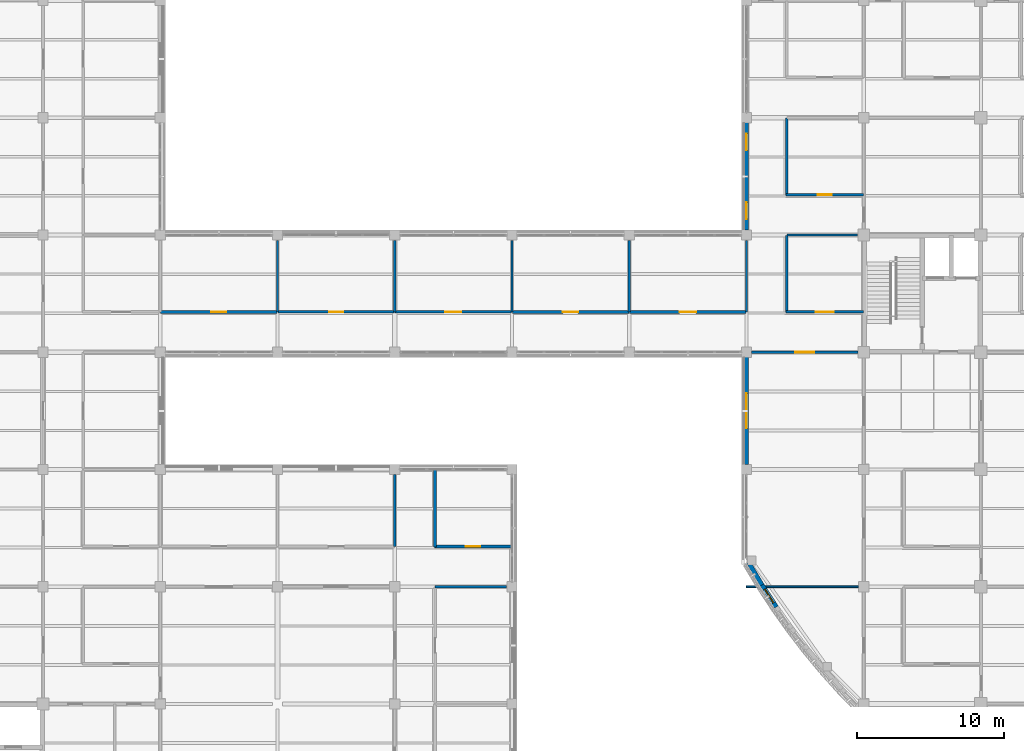
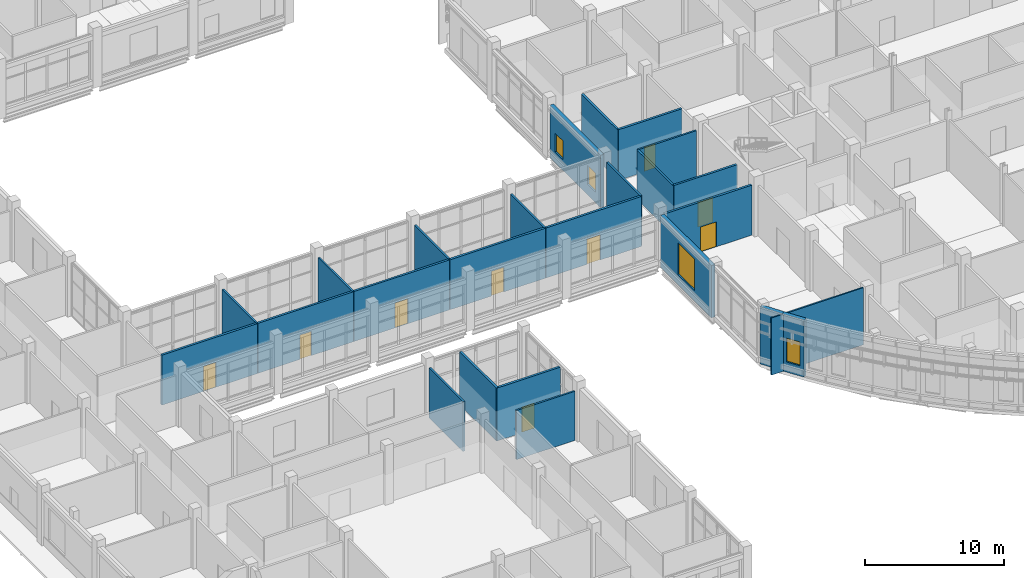
# One storey, part 62 of 105: 25 walls, 9 doors, 4 windows, 13 openings.
"""IFC4 building model written with IfcOpenShell, lengths in metres."""

from ifc_helpers import new_model, si_unit, derived_unit, direction, frame, frame_2d, origin, place, context, subcontext, project, spatial, rectangle, extrude, material, layer, layer_set, type_object, element, fill, save


model = new_model("IFC4")

# Units and contexts
model_context = context("Model", 3, precision=1e-05, world=origin(), true_north=direction((0.0, 1.0)))
body_context = subcontext(model_context, "Body", "Model", "MODEL_VIEW")
ifc_project = project(units=[si_unit("LENGTHUNIT", "METRE"), si_unit("AREAUNIT", "SQUARE_METRE"), si_unit("VOLUMEUNIT", "CUBIC_METRE"), si_unit("PLANEANGLEUNIT", "RADIAN"), si_unit("MASSUNIT", "GRAM", prefix="KILO"), derived_unit("THERMALTRANSMITTANCEUNIT", [(si_unit("MASSUNIT", "GRAM", prefix="KILO"), 1), (si_unit("TIMEUNIT", "SECOND"), -3), (si_unit("THERMODYNAMICTEMPERATUREUNIT", "KELVIN"), -1)])], contexts=[model_context])

# Site, building, storey
site_placement = place(None, origin())
site = spatial("IfcSite", under=ifc_project, at=site_placement, CompositionType="ELEMENT")
building_placement = place(site_placement, origin())
building = spatial("IfcBuilding", under=site, at=building_placement, Name="Veyamyaing Civic Hall", CompositionType="ELEMENT")
storey_placement = place(building_placement, origin())
storey = spatial("IfcBuildingStorey", under=building, at=storey_placement, Name="L00", CompositionType="ELEMENT", Elevation=0.0)

# Wall
ifc_material_1 = material(Name="Precast concrete C40/50", Category="concrete")
ifc_layer_1 = layer(ifc_material_1, 0.304931640625, Name="Precast concrete C40/50")
ifc_layer_set_1 = layer_set([ifc_layer_1], Name="Precast concrete C40/50")
wall_type_1 = type_object("IfcWallType", Name="WT-03", PredefinedType="SOLIDWALL", material=ifc_layer_set_1)
wall_1_placement = place(storey_placement, frame((56.1328125, 33.649169921875, 0.0), z_axis=(0.0, 0.0, 1.0), x_axis=(0.51607516088, -0.856543302071, 0.0)))
element("IfcWall", 1, at=wall_1_placement, inside=storey, type_object=wall_type_1, Name="Curved corner facade wall WT-03 L00 SW.1", PredefinedType="SOLIDWALL", context=body_context, shape_type="SweptSolid", body=[
    extrude(rectangle(XDim=1.794921875, YDim=0.304931640625, at=frame_2d((0.8974609375, 0.0))), origin(), (0.0, 0.0, 1.0), 5.034912109375),
])

# Wall, opening, window
wall_2_placement = place(storey_placement, frame((57.05615234375, 32.11669921875, 0.0), z_axis=(0.0, 0.0, 1.0), x_axis=(0.547681678944, -0.836686786408, 0.0)))
wall_2 = element("IfcWall", 2, at=wall_2_placement, inside=storey, type_object=wall_type_1, Name="Curved corner facade wall WT-03 L00 SW.2", PredefinedType="SOLIDWALL", context=body_context, shape_type="SweptSolid", body=[
    extrude(rectangle(XDim=1.795166015625, YDim=0.304931640625, at=frame_2d((0.8974609375, 0.0))), origin(), (0.0, 0.0, 1.0), 5.034912109375),
])
opening_1_placement = place(wall_2_placement, frame((0.347412109375, 0.0, 0.89990234375)))
opening_1 = element("IfcOpeningElement", 3, at=opening_1_placement, cuts=wall_2, Name="Opening W-15", PredefinedType="OPENING", context=body_context, shape_type="SweptSolid", body=[
    extrude(rectangle(XDim=1.10009765625, YDim=2.10009765625, at=frame_2d((0.550048828125, 1.050048828125))), frame((0.0, 0.162353515625, 0.0), z_axis=(0.0, -1.0, 0.0), x_axis=(1.0, 0.0, 0.0)), (0.0, 0.0, 1.0), 0.324951171875),
])
ifc_material_2 = material(Name="Low-E insulated glass", Category="glass")
window_type_1 = type_object("IfcWindowType", Name="W-15", PartitioningType="SINGLE_PANEL", PredefinedType="WINDOW", material=ifc_material_2)
window_1_placement = place(opening_1_placement, origin())
window_1 = element("IfcWindow", 4, at=window_1_placement, inside=storey, type_object=window_type_1, Name="Curved ribbon window W-15 L00 SW.2", OverallHeight=2.10009765625, OverallWidth=1.10009765625, PartitioningType="SINGLE_PANEL", PredefinedType="WINDOW", context=body_context, shape_type="SweptSolid", body=[
    extrude(rectangle(XDim=1.10009765625, YDim=2.10009765625, at=frame_2d((0.550048828125, 1.050048828125))), frame((0.0, 0.030029296875, 0.0), z_axis=(0.0, -1.0, 0.0), x_axis=(1.0, 0.0, 0.0)), (0.0, 0.0, 1.0), 0.06005859375),
])
fill(opening_1, window_1)

wall_3_placement = place(storey_placement, frame((56.0, 40.3349609375, 0.0), z_axis=(0.0, 0.0, 1.0), x_axis=(0.0, 1.0, 0.0)))
wall_3 = element("IfcWall", 5, at=wall_3_placement, inside=storey, type_object=wall_type_1, Name="Exterior facade wall WT-03 L00 W 8.6", PredefinedType="SOLIDWALL", context=body_context, shape_type="SweptSolid", body=[
    extrude(rectangle(XDim=7.330078125, YDim=0.304931640625, at=frame_2d((3.6650390625, 0.0))), origin(), (0.0, 0.0, 1.0), 4.610107421875),
])
opening_2_placement = place(wall_3_placement, frame((2.465087890625, 0.0, 0.89990234375)))
opening_2 = element("IfcOpeningElement", 6, at=opening_2_placement, cuts=wall_3, Name="Opening W-01", PredefinedType="OPENING", context=body_context, shape_type="SweptSolid", body=[
    extrude(rectangle(XDim=2.39990234375, YDim=2.800048828125, at=frame_2d((1.199951171875, 1.39990234375))), frame((0.0, 0.162353515625, 0.0), z_axis=(0.0, -1.0, 0.0), x_axis=(1.0, 0.0, 0.0)), (0.0, 0.0, 1.0), 0.324951171875),
])
window_type_2 = type_object("IfcWindowType", Name="W-01", PartitioningType="SINGLE_PANEL", PredefinedType="WINDOW", material=ifc_material_2)
window_2_placement = place(opening_2_placement, origin())
window_2 = element("IfcWindow", 7, at=window_2_placement, inside=storey, type_object=window_type_2, Name="Facade window W-01 L00 W 8.6", OverallHeight=2.800048828125, OverallWidth=2.39990234375, PartitioningType="SINGLE_PANEL", PredefinedType="WINDOW", context=body_context, shape_type="SweptSolid", body=[
    extrude(rectangle(XDim=2.39990234375, YDim=2.800048828125, at=frame_2d((1.199951171875, 1.39990234375))), frame((0.0, 0.030029296875, 0.0), z_axis=(0.0, -1.0, 0.0), x_axis=(1.0, 0.0, 0.0)), (0.0, 0.0, 1.0), 0.06005859375),
])
fill(opening_2, window_2)

# Wall, openings, windows
wall_4_placement = place(storey_placement, frame((56.0, 56.3349609375, 0.0), z_axis=(0.0, 0.0, 1.0), x_axis=(0.0, 1.0, 0.0)))
wall_4 = element("IfcWall", 8, at=wall_4_placement, inside=storey, type_object=wall_type_1, Name="Exterior facade wall WT-03 L00 W 8.8", PredefinedType="SOLIDWALL", context=body_context, shape_type="SweptSolid", body=[
    extrude(rectangle(XDim=7.330078125, YDim=0.304931640625, at=frame_2d((3.6650390625, 0.0))), origin(), (0.0, 0.0, 1.0), 4.614013671875),
])
opening_3_placement = place(wall_4_placement, frame((0.744384765625, 0.0, 0.949951171875)))
opening_3 = element("IfcOpeningElement", 9, at=opening_3_placement, cuts=wall_4, Name="Opening W-32", PredefinedType="OPENING", context=body_context, shape_type="SweptSolid", body=[
    extrude(rectangle(XDim=1.14990234375, YDim=1.64990234375, at=frame_2d((0.574951171875, 0.824951171875))), frame((0.0, 0.162353515625, 0.0), z_axis=(0.0, -1.0, 0.0), x_axis=(1.0, 0.0, 0.0)), (0.0, 0.0, 1.0), 0.324951171875),
])
opening_4_placement = place(wall_4_placement, frame((5.435546875, 0.0, 0.949951171875)))
opening_4 = element("IfcOpeningElement", 10, at=opening_4_placement, cuts=wall_4, Name="Opening W-32", PredefinedType="OPENING", context=body_context, shape_type="SweptSolid", body=[
    extrude(rectangle(XDim=1.14990234375, YDim=1.64990234375, at=frame_2d((0.574951171875, 0.824951171875))), frame((0.0, 0.162353515625, 0.0), z_axis=(0.0, -1.0, 0.0), x_axis=(1.0, 0.0, 0.0)), (0.0, 0.0, 1.0), 0.324951171875),
])
window_type_3 = type_object("IfcWindowType", Name="W-32", PartitioningType="SINGLE_PANEL", PredefinedType="WINDOW", material=ifc_material_2)
window_3_placement = place(opening_3_placement, origin())
window_3 = element("IfcWindow", 11, at=window_3_placement, inside=storey, type_object=window_type_3, Name="Facade window W-32 L00 W 8.8.1", OverallHeight=1.64990234375, OverallWidth=1.14990234375, PartitioningType="SINGLE_PANEL", PredefinedType="WINDOW", context=body_context, shape_type="SweptSolid", body=[
    extrude(rectangle(XDim=1.14990234375, YDim=1.64990234375, at=frame_2d((0.574951171875, 0.824951171875))), frame((0.0, 0.030029296875, 0.0), z_axis=(0.0, -1.0, 0.0), x_axis=(1.0, 0.0, 0.0)), (0.0, 0.0, 1.0), 0.06005859375),
])
fill(opening_3, window_3)
window_4_placement = place(opening_4_placement, origin())
window_4 = element("IfcWindow", 12, at=window_4_placement, inside=storey, type_object=window_type_3, Name="Facade window W-32 L00 W 8.8.2", OverallHeight=1.64990234375, OverallWidth=1.14990234375, PartitioningType="SINGLE_PANEL", PredefinedType="WINDOW", context=body_context, shape_type="SweptSolid", body=[
    extrude(rectangle(XDim=1.14990234375, YDim=1.64990234375, at=frame_2d((0.574951171875, 0.824951171875))), frame((0.0, 0.030029296875, 0.0), z_axis=(0.0, -1.0, 0.0), x_axis=(1.0, 0.0, 0.0)), (0.0, 0.0, 1.0), 0.06005859375),
])
fill(opening_4, window_4)

# Wall, opening, door
ifc_material_3 = material(Name="Gypsum board on acoustic steel stud", Category="steel")
ifc_layer_2 = layer(ifc_material_3, 0.175048828125, Name="Gypsum board on acoustic steel stud")
ifc_layer_set_2 = layer_set([ifc_layer_2], Name="Gypsum board on acoustic steel stud")
wall_type_2 = type_object("IfcWallType", Name="WT-07", PredefinedType="PARTITIONING", material=ifc_layer_set_2)
wall_5_placement = place(storey_placement, frame((24.02001953125, 50.75, 0.0), z_axis=(0.0, 0.0, 1.0), x_axis=(1.0, 0.0, 0.0)))
wall_5 = element("IfcWall", 13, at=wall_5_placement, inside=storey, type_object=wall_type_2, Name="Corridor gallery partition WT-07 L00.15.1", PredefinedType="PARTITIONING", context=body_context, shape_type="SweptSolid", body=[
    extrude(rectangle(XDim=7.9599609375, YDim=0.175048828125, at=frame_2d((3.97998046875, 0.0))), origin(), (0.0, 0.0, 1.0), 4.404052734375),
])
opening_5_placement = place(wall_5_placement, frame((3.5, 0.0, 0.0)))
opening_5 = element("IfcOpeningElement", 14, at=opening_5_placement, cuts=wall_5, Name="Opening D-25", PredefinedType="OPENING", context=body_context, shape_type="SweptSolid", body=[
    extrude(rectangle(XDim=0.9599609375, YDim=2.139892578125, at=frame_2d((0.47998046875, 1.06982421875))), frame((0.0, 0.097412109375, 0.0), z_axis=(0.0, -1.0, 0.0), x_axis=(1.0, 0.0, 0.0)), (0.0, 0.0, 1.0), 0.195068359375),
])
ifc_material_4 = material(Name="Teak-veneered acoustic timber", Category="wood")
door_type_1 = type_object("IfcDoorType", Name="D-25", OperationType="NOTDEFINED", PredefinedType="DOOR", material=ifc_material_4)
door_1_placement = place(opening_5_placement, origin())
door_1 = element("IfcDoor", 15, at=door_1_placement, inside=storey, type_object=door_type_1, Name="Gallery office door D-25 L00.15", OperationType="SINGLE_SWING_RIGHT", OverallHeight=2.139892578125, OverallWidth=0.9599609375, PredefinedType="DOOR", context=body_context, shape_type="SweptSolid", body=[
    extrude(rectangle(XDim=0.9599609375, YDim=2.139892578125, at=frame_2d((0.47998046875, 1.06982421875))), frame((0.0, 0.02490234375, 0.0), z_axis=(0.0, -1.0, 0.0), x_axis=(1.0, 0.0, 0.0)), (0.0, 0.0, 1.0), 0.050048828125),
])
fill(opening_5, door_1)

wall_6_placement = place(storey_placement, frame((32.02001953125, 50.75, 0.0), z_axis=(0.0, 0.0, 1.0), x_axis=(1.0, 0.0, 0.0)))
wall_6 = element("IfcWall", 16, at=wall_6_placement, inside=storey, type_object=wall_type_2, Name="Corridor gallery partition WT-07 L00.23.1", PredefinedType="PARTITIONING", context=body_context, shape_type="SweptSolid", body=[
    extrude(rectangle(XDim=7.9599609375, YDim=0.175048828125, at=frame_2d((3.97998046875, 0.0))), origin(), (0.0, 0.0, 1.0), 4.404052734375),
])
opening_6_placement = place(wall_6_placement, frame((3.43994140625, 0.0, 0.0)))
opening_6 = element("IfcOpeningElement", 17, at=opening_6_placement, cuts=wall_6, Name="Opening D-23", PredefinedType="OPENING", context=body_context, shape_type="SweptSolid", body=[
    extrude(rectangle(XDim=1.080078125, YDim=2.199951171875, at=frame_2d((0.5400390625, 1.10009765625))), frame((0.0, 0.097412109375, 0.0), z_axis=(0.0, -1.0, 0.0), x_axis=(1.0, 0.0, 0.0)), (0.0, 0.0, 1.0), 0.195068359375),
])
door_type_2 = type_object("IfcDoorType", Name="D-23", OperationType="NOTDEFINED", PredefinedType="DOOR", material=ifc_material_4)
door_2_placement = place(opening_6_placement, origin())
door_2 = element("IfcDoor", 18, at=door_2_placement, inside=storey, type_object=door_type_2, Name="Gallery office door D-23 L00.23", OperationType="SINGLE_SWING_RIGHT", OverallHeight=2.199951171875, OverallWidth=1.080078125, PredefinedType="DOOR", context=body_context, shape_type="SweptSolid", body=[
    extrude(rectangle(XDim=1.080078125, YDim=2.199951171875, at=frame_2d((0.5400390625, 1.10009765625))), frame((0.0, 0.02490234375, 0.0), z_axis=(0.0, -1.0, 0.0), x_axis=(1.0, 0.0, 0.0)), (0.0, 0.0, 1.0), 0.050048828125),
])
fill(opening_6, door_2)

wall_7_placement = place(storey_placement, frame((58.699951171875, 50.75, 0.0), z_axis=(0.0, 0.0, 1.0), x_axis=(1.0, 0.0, 0.0)))
wall_7 = element("IfcWall", 19, at=wall_7_placement, inside=storey, type_object=wall_type_2, Name="Corridor gallery partition WT-07 L00.27.1", PredefinedType="PARTITIONING", context=body_context, shape_type="SweptSolid", body=[
    extrude(rectangle(XDim=5.280029296875, YDim=0.175048828125, at=frame_2d((2.64013671875, 0.0))), origin(), (0.0, 0.0, 1.0), 4.404052734375),
])
opening_7_placement = place(wall_7_placement, frame((2.014892578125, 0.0, 0.0)))
opening_7 = element("IfcOpeningElement", 20, at=opening_7_placement, cuts=wall_7, Name="Opening D-29", PredefinedType="OPENING", context=body_context, shape_type="SweptSolid", body=[
    extrude(rectangle(XDim=1.25, YDim=2.179931640625, at=frame_2d((0.625, 1.08984375))), frame((0.0, 0.097412109375, 0.0), z_axis=(0.0, -1.0, 0.0), x_axis=(1.0, 0.0, 0.0)), (0.0, 0.0, 1.0), 0.195068359375),
])
door_type_3 = type_object("IfcDoorType", Name="D-29", OperationType="NOTDEFINED", PredefinedType="DOOR", material=ifc_material_4)
door_3_placement = place(opening_7_placement, origin())
door_3 = element("IfcDoor", 21, at=door_3_placement, inside=storey, type_object=door_type_3, Name="Gallery office door D-29 L00.27", OperationType="SINGLE_SWING_RIGHT", OverallHeight=2.179931640625, OverallWidth=1.25, PredefinedType="DOOR", context=body_context, shape_type="SweptSolid", body=[
    extrude(rectangle(XDim=1.25, YDim=2.179931640625, at=frame_2d((0.625, 1.08984375))), frame((0.0, 0.02490234375, 0.0), z_axis=(0.0, -1.0, 0.0), x_axis=(1.0, 0.0, 0.0)), (0.0, 0.0, 1.0), 0.050048828125),
])
fill(opening_7, door_3)

# Walls
wall_8_placement = place(storey_placement, frame((58.75, 50.699951171875, 0.0), z_axis=(0.0, 0.0, 1.0), x_axis=(0.0, 1.0, 0.0)))
element("IfcWall", 22, at=wall_8_placement, inside=storey, type_object=wall_type_2, Name="Corridor gallery partition WT-07 L00.27.2", PredefinedType="PARTITIONING", context=body_context, shape_type="SweptSolid", body=[
    extrude(rectangle(XDim=5.280029296875, YDim=0.175048828125, at=frame_2d((2.64013671875, 0.0))), origin(), (0.0, 0.0, 1.0), 4.3359375),
])
ifc_material_5 = material(Name="Gypsum board on steel stud", Category="steel")
ifc_layer_3 = layer(ifc_material_5, 0.14990234375, Name="Gypsum board on steel stud")
ifc_layer_set_3 = layer_set([ifc_layer_3], Name="Gypsum board on steel stud")
wall_type_3 = type_object("IfcWallType", Name="WT-08", PredefinedType="PARTITIONING", material=ifc_layer_set_3)
wall_9_placement = place(storey_placement, frame((24.0, 50.75, 0.0), z_axis=(0.0, 0.0, 1.0), x_axis=(0.0, 1.0, 0.0)))
element("IfcWall", 23, at=wall_9_placement, inside=storey, type_object=wall_type_3, Name="Gallery office end partition WT-08 L00.12.2", PredefinedType="PARTITIONING", context=body_context, shape_type="SweptSolid", body=[
    extrude(rectangle(XDim=4.889892578125, YDim=0.14990234375, at=frame_2d((2.44482421875, 0.0))), origin(), (0.0, 0.0, 1.0), 4.412109375),
])
wall_10_placement = place(storey_placement, frame((32.0, 34.75, 0.0), z_axis=(0.0, 0.0, 1.0), x_axis=(0.0, 1.0, 0.0)))
element("IfcWall", 24, at=wall_10_placement, inside=storey, type_object=wall_type_3, Name="Gallery office end partition WT-08 L00.14.2", PredefinedType="PARTITIONING", context=body_context, shape_type="SweptSolid", body=[
    extrude(rectangle(XDim=4.889892578125, YDim=0.14990234375, at=frame_2d((2.44482421875, 0.0))), origin(), (0.0, 0.0, 1.0), 4.403076171875),
])
wall_11_placement = place(storey_placement, frame((32.0, 50.75, 0.0), z_axis=(0.0, 0.0, 1.0), x_axis=(0.0, 1.0, 0.0)))
element("IfcWall", 25, at=wall_11_placement, inside=storey, type_object=wall_type_3, Name="Gallery office end partition WT-08 L00.15.2", PredefinedType="PARTITIONING", context=body_context, shape_type="SweptSolid", body=[
    extrude(rectangle(XDim=4.889892578125, YDim=0.14990234375, at=frame_2d((2.44482421875, 0.0))), origin(), (0.0, 0.0, 1.0), 4.404052734375),
])
wall_12_placement = place(storey_placement, frame((34.75, 32.0, 0.0), z_axis=(0.0, 0.0, 1.0), x_axis=(1.0, 0.0, 0.0)))
element("IfcWall", 26, at=wall_12_placement, inside=storey, type_object=wall_type_3, Name="Gallery office end partition WT-08 L00.21.2", PredefinedType="PARTITIONING", context=body_context, shape_type="SweptSolid", body=[
    extrude(rectangle(XDim=4.889892578125, YDim=0.14990234375, at=frame_2d((2.44482421875, 0.0))), origin(), (0.0, 0.0, 1.0), 4.326904296875),
])
wall_13_placement = place(storey_placement, frame((40.0, 50.75, 0.0), z_axis=(0.0, 0.0, 1.0), x_axis=(0.0, 1.0, 0.0)))
element("IfcWall", 27, at=wall_13_placement, inside=storey, type_object=wall_type_3, Name="Gallery office end partition WT-08 L00.23.2", PredefinedType="PARTITIONING", context=body_context, shape_type="SweptSolid", body=[
    extrude(rectangle(XDim=4.889892578125, YDim=0.14990234375, at=frame_2d((2.44482421875, 0.0))), origin(), (0.0, 0.0, 1.0), 4.470947265625),
])
wall_14_placement = place(storey_placement, frame((48.0, 50.75, 0.0), z_axis=(0.0, 0.0, 1.0), x_axis=(0.0, 1.0, 0.0)))
element("IfcWall", 28, at=wall_14_placement, inside=storey, type_object=wall_type_3, Name="Gallery office end partition WT-08 L00.24.2", PredefinedType="PARTITIONING", context=body_context, shape_type="SweptSolid", body=[
    extrude(rectangle(XDim=4.889892578125, YDim=0.14990234375, at=frame_2d((2.44482421875, 0.0))), origin(), (0.0, 0.0, 1.0), 4.403076171875),
])
wall_15_placement = place(storey_placement, frame((56.0, 50.75, 0.0), z_axis=(0.0, 0.0, 1.0), x_axis=(0.0, 1.0, 0.0)))
element("IfcWall", 29, at=wall_15_placement, inside=storey, type_object=wall_type_3, Name="Gallery office end partition WT-08 L00.26.2", PredefinedType="PARTITIONING", context=body_context, shape_type="SweptSolid", body=[
    extrude(rectangle(XDim=4.889892578125, YDim=0.14990234375, at=frame_2d((2.44482421875, 0.0))), origin(), (0.0, 0.0, 1.0), 4.412109375),
])
wall_16_placement = place(storey_placement, frame((58.75, 56.0, 0.0), z_axis=(0.0, 0.0, 1.0), x_axis=(1.0, 0.0, 0.0)))
element("IfcWall", 30, at=wall_16_placement, inside=storey, type_object=wall_type_3, Name="Gallery office end partition WT-08 L00.27.1", PredefinedType="PARTITIONING", context=body_context, shape_type="SweptSolid", body=[
    extrude(rectangle(XDim=4.840087890625, YDim=0.14990234375, at=frame_2d((2.419921875, 0.0))), origin(), (0.0, 0.0, 1.0), 4.3359375),
])
ifc_layer_4 = layer(ifc_material_5, 0.1201171875, Name="Gypsum board on steel stud")
ifc_layer_set_4 = layer_set([ifc_layer_4], Name="Gypsum board on steel stud")
wall_type_4 = type_object("IfcWallType", Name="WT-16", PredefinedType="PARTITIONING", material=ifc_layer_set_4)
wall_17_placement = place(storey_placement, frame((56.0, 32.0, 0.0), z_axis=(0.0, 0.0, 1.0), x_axis=(1.0, 0.0, 0.0)))
element("IfcWall", 31, at=wall_17_placement, inside=storey, type_object=wall_type_4, Name="Interior partition wall WT-16 L00.41", PredefinedType="PARTITIONING", context=body_context, shape_type="SweptSolid", body=[
    extrude(rectangle(XDim=7.659912109375, YDim=0.1201171875, at=frame_2d((3.830078125, 0.0))), origin(), (0.0, 0.0, 1.0), 5.02490234375),
])

# Wall, opening, door
ifc_material_6 = material(Name="Gypsum board on double acoustic stud")
ifc_layer_5 = layer(ifc_material_6, 0.18505859375, Name="Gypsum board on double acoustic stud")
ifc_layer_set_5 = layer_set([ifc_layer_5], Name="Gypsum board on double acoustic stud")
wall_type_5 = type_object("IfcWallType", Name="WT-19", PredefinedType="PARTITIONING", material=ifc_layer_set_5)
wall_18_placement = place(storey_placement, frame((16.02001953125, 50.75, 0.0), z_axis=(0.0, 0.0, 1.0), x_axis=(1.0, 0.0, 0.0)))
wall_18 = element("IfcWall", 32, at=wall_18_placement, inside=storey, type_object=wall_type_5, Name="Corridor gallery partition WT-19 L00.12.1", PredefinedType="PARTITIONING", context=body_context, shape_type="SweptSolid", body=[
    extrude(rectangle(XDim=7.9599609375, YDim=0.18505859375, at=frame_2d((3.97998046875, 0.0))), origin(), (0.0, 0.0, 1.0), 4.403076171875),
])
opening_8_placement = place(wall_18_placement, frame((3.469970703125, 0.0, 0.0)))
opening_8 = element("IfcOpeningElement", 33, at=opening_8_placement, cuts=wall_18, Name="Opening D-19", PredefinedType="OPENING", context=body_context, shape_type="SweptSolid", body=[
    extrude(rectangle(XDim=1.02001953125, YDim=2.199951171875, at=frame_2d((0.510009765625, 1.10009765625))), frame((0.0, 0.1025390625, 0.0), z_axis=(0.0, -1.0, 0.0), x_axis=(1.0, 0.0, 0.0)), (0.0, 0.0, 1.0), 0.205078125),
])
door_type_4 = type_object("IfcDoorType", Name="D-19", OperationType="NOTDEFINED", PredefinedType="DOOR", material=ifc_material_4)
door_4_placement = place(opening_8_placement, origin())
door_4 = element("IfcDoor", 34, at=door_4_placement, inside=storey, type_object=door_type_4, Name="Gallery office door D-19 L00.12", OperationType="SINGLE_SWING_LEFT", OverallHeight=2.199951171875, OverallWidth=1.02001953125, PredefinedType="DOOR", context=body_context, shape_type="SweptSolid", body=[
    extrude(rectangle(XDim=1.02001953125, YDim=2.199951171875, at=frame_2d((0.510009765625, 1.10009765625))), frame((0.0, 0.02490234375, 0.0), z_axis=(0.0, -1.0, 0.0), x_axis=(1.0, 0.0, 0.0)), (0.0, 0.0, 1.0), 0.050048828125),
])
fill(opening_8, door_4)

wall_19_placement = place(storey_placement, frame((34.699951171875, 34.75, 0.0), z_axis=(0.0, 0.0, 1.0), x_axis=(1.0, 0.0, 0.0)))
wall_19 = element("IfcWall", 35, at=wall_19_placement, inside=storey, type_object=wall_type_5, Name="Corridor gallery partition WT-19 L00.22.1", PredefinedType="PARTITIONING", context=body_context, shape_type="SweptSolid", body=[
    extrude(rectangle(XDim=5.280029296875, YDim=0.18505859375, at=frame_2d((2.64013671875, 0.0))), origin(), (0.0, 0.0, 1.0), 4.6669921875),
])
opening_9_placement = place(wall_19_placement, frame((2.1298828125, 0.0, 0.0)))
opening_9 = element("IfcOpeningElement", 36, at=opening_9_placement, cuts=wall_19, Name="Opening D-19", PredefinedType="OPENING", context=body_context, shape_type="SweptSolid", body=[
    extrude(rectangle(XDim=1.02001953125, YDim=2.199951171875, at=frame_2d((0.510009765625, 1.10009765625))), frame((0.0, 0.1025390625, 0.0), z_axis=(0.0, -1.0, 0.0), x_axis=(1.0, 0.0, 0.0)), (0.0, 0.0, 1.0), 0.205078125),
])
door_5_placement = place(opening_9_placement, origin())
door_5 = element("IfcDoor", 37, at=door_5_placement, inside=storey, type_object=door_type_4, Name="Gallery office door D-19 L00.22", OperationType="SINGLE_SWING_LEFT", OverallHeight=2.199951171875, OverallWidth=1.02001953125, PredefinedType="DOOR", context=body_context, shape_type="SweptSolid", body=[
    extrude(rectangle(XDim=1.02001953125, YDim=2.199951171875, at=frame_2d((0.510009765625, 1.10009765625))), frame((0.0, 0.02490234375, 0.0), z_axis=(0.0, -1.0, 0.0), x_axis=(1.0, 0.0, 0.0)), (0.0, 0.0, 1.0), 0.050048828125),
])
fill(opening_9, door_5)

# Wall
wall_20_placement = place(storey_placement, frame((34.75, 34.699951171875, 0.0), z_axis=(0.0, 0.0, 1.0), x_axis=(0.0, 1.0, 0.0)))
element("IfcWall", 38, at=wall_20_placement, inside=storey, type_object=wall_type_5, Name="Corridor gallery partition WT-19 L00.22.2", PredefinedType="PARTITIONING", context=body_context, shape_type="SweptSolid", body=[
    extrude(rectangle(XDim=5.280029296875, YDim=0.18505859375, at=frame_2d((2.64013671875, 0.0))), origin(), (0.0, 0.0, 1.0), 4.6669921875),
])

# Wall, opening, door
wall_21_placement = place(storey_placement, frame((40.02001953125, 50.75, 0.0), z_axis=(0.0, 0.0, 1.0), x_axis=(1.0, 0.0, 0.0)))
wall_21 = element("IfcWall", 39, at=wall_21_placement, inside=storey, type_object=wall_type_5, Name="Corridor gallery partition WT-19 L00.24.1", PredefinedType="PARTITIONING", context=body_context, shape_type="SweptSolid", body=[
    extrude(rectangle(XDim=7.9599609375, YDim=0.18505859375, at=frame_2d((3.97998046875, 0.0))), origin(), (0.0, 0.0, 1.0), 4.403076171875),
])
opening_10_placement = place(wall_21_placement, frame((3.4599609375, 0.0, 0.0)))
opening_10 = element("IfcOpeningElement", 40, at=opening_10_placement, cuts=wall_21, Name="Opening D-24", PredefinedType="OPENING", context=body_context, shape_type="SweptSolid", body=[
    extrude(rectangle(XDim=1.0400390625, YDim=2.179931640625, at=frame_2d((0.52001953125, 1.08984375))), frame((0.0, 0.1025390625, 0.0), z_axis=(0.0, -1.0, 0.0), x_axis=(1.0, 0.0, 0.0)), (0.0, 0.0, 1.0), 0.205078125),
])
door_type_5 = type_object("IfcDoorType", Name="D-24", OperationType="NOTDEFINED", PredefinedType="DOOR", material=ifc_material_4)
door_6_placement = place(opening_10_placement, origin())
door_6 = element("IfcDoor", 41, at=door_6_placement, inside=storey, type_object=door_type_5, Name="Gallery office door D-24 L00.24", OperationType="SINGLE_SWING_LEFT", OverallHeight=2.179931640625, OverallWidth=1.0400390625, PredefinedType="DOOR", context=body_context, shape_type="SweptSolid", body=[
    extrude(rectangle(XDim=1.0400390625, YDim=2.179931640625, at=frame_2d((0.52001953125, 1.08984375))), frame((0.0, 0.02490234375, 0.0), z_axis=(0.0, -1.0, 0.0), x_axis=(1.0, 0.0, 0.0)), (0.0, 0.0, 1.0), 0.050048828125),
])
fill(opening_10, door_6)

wall_22_placement = place(storey_placement, frame((48.02001953125, 50.75, 0.0), z_axis=(0.0, 0.0, 1.0), x_axis=(1.0, 0.0, 0.0)))
wall_22 = element("IfcWall", 42, at=wall_22_placement, inside=storey, type_object=wall_type_5, Name="Corridor gallery partition WT-19 L00.26.1", PredefinedType="PARTITIONING", context=body_context, shape_type="SweptSolid", body=[
    extrude(rectangle(XDim=7.9599609375, YDim=0.18505859375, at=frame_2d((3.97998046875, 0.0))), origin(), (0.0, 0.0, 1.0), 4.403076171875),
])
opening_11_placement = place(wall_22_placement, frame((3.419921875, 0.0, 0.0)))
opening_11 = element("IfcOpeningElement", 43, at=opening_11_placement, cuts=wall_22, Name="Opening D-26", PredefinedType="OPENING", context=body_context, shape_type="SweptSolid", body=[
    extrude(rectangle(XDim=1.1201171875, YDim=2.219970703125, at=frame_2d((0.56005859375, 1.10986328125))), frame((0.0, 0.1025390625, 0.0), z_axis=(0.0, -1.0, 0.0), x_axis=(1.0, 0.0, 0.0)), (0.0, 0.0, 1.0), 0.205078125),
])
door_type_6 = type_object("IfcDoorType", Name="D-26", OperationType="NOTDEFINED", PredefinedType="DOOR", material=ifc_material_4)
door_7_placement = place(opening_11_placement, origin())
door_7 = element("IfcDoor", 44, at=door_7_placement, inside=storey, type_object=door_type_6, Name="Gallery office door D-26 L00.26", OperationType="SINGLE_SWING_LEFT", OverallHeight=2.219970703125, OverallWidth=1.1201171875, PredefinedType="DOOR", context=body_context, shape_type="SweptSolid", body=[
    extrude(rectangle(XDim=1.1201171875, YDim=2.219970703125, at=frame_2d((0.56005859375, 1.10986328125))), frame((0.0, 0.02490234375, 0.0), z_axis=(0.0, -1.0, 0.0), x_axis=(1.0, 0.0, 0.0)), (0.0, 0.0, 1.0), 0.050048828125),
])
fill(opening_11, door_7)

wall_23_placement = place(storey_placement, frame((58.699951171875, 58.75, 0.0), z_axis=(0.0, 0.0, 1.0), x_axis=(1.0, 0.0, 0.0)))
wall_23 = element("IfcWall", 45, at=wall_23_placement, inside=storey, type_object=wall_type_5, Name="Corridor gallery partition WT-19 L00.28.1", PredefinedType="PARTITIONING", context=body_context, shape_type="SweptSolid", body=[
    extrude(rectangle(XDim=5.280029296875, YDim=0.18505859375, at=frame_2d((2.64013671875, 0.0))), origin(), (0.0, 0.0, 1.0), 4.470947265625),
])
opening_12_placement = place(wall_23_placement, frame((2.169921875, 0.0, 0.0)))
opening_12 = element("IfcOpeningElement", 46, at=opening_12_placement, cuts=wall_23, Name="Opening D-30", PredefinedType="OPENING", context=body_context, shape_type="SweptSolid", body=[
    extrude(rectangle(XDim=0.93994140625, YDim=2.1201171875, at=frame_2d((0.469970703125, 1.06005859375))), frame((0.0, 0.1025390625, 0.0), z_axis=(0.0, -1.0, 0.0), x_axis=(1.0, 0.0, 0.0)), (0.0, 0.0, 1.0), 0.205078125),
])
door_type_7 = type_object("IfcDoorType", Name="D-30", OperationType="NOTDEFINED", PredefinedType="DOOR", material=ifc_material_4)
door_8_placement = place(opening_12_placement, origin())
door_8 = element("IfcDoor", 47, at=door_8_placement, inside=storey, type_object=door_type_7, Name="Gallery office door D-30 L00.28", OperationType="SINGLE_SWING_LEFT", OverallHeight=2.1201171875, OverallWidth=0.93994140625, PredefinedType="DOOR", context=body_context, shape_type="SweptSolid", body=[
    extrude(rectangle(XDim=0.93994140625, YDim=2.1201171875, at=frame_2d((0.469970703125, 1.06005859375))), frame((0.0, 0.02490234375, 0.0), z_axis=(0.0, -1.0, 0.0), x_axis=(1.0, 0.0, 0.0)), (0.0, 0.0, 1.0), 0.050048828125),
])
fill(opening_12, door_8)

# Wall
wall_24_placement = place(storey_placement, frame((58.75, 58.699951171875, 0.0), z_axis=(0.0, 0.0, 1.0), x_axis=(0.0, 1.0, 0.0)))
element("IfcWall", 48, at=wall_24_placement, inside=storey, type_object=wall_type_5, Name="Corridor gallery partition WT-19 L00.28.2", PredefinedType="PARTITIONING", context=body_context, shape_type="SweptSolid", body=[
    extrude(rectangle(XDim=5.280029296875, YDim=0.18505859375, at=frame_2d((2.64013671875, 0.0))), origin(), (0.0, 0.0, 1.0), 4.404052734375),
])

# Wall, opening, door
wall_25_placement = place(storey_placement, frame((56.340087890625, 48.0, 0.0), z_axis=(0.0, 0.0, 1.0), x_axis=(1.0, 0.0, 0.0)))
wall_25 = element("IfcWall", 49, at=wall_25_placement, inside=storey, type_object=wall_type_5, Name="Interior partition wall WT-19 L00.44", PredefinedType="PARTITIONING", context=body_context, shape_type="SweptSolid", body=[
    extrude(rectangle(XDim=7.27001953125, YDim=0.18505859375, at=frame_2d((3.635009765625, 0.0))), origin(), (0.0, 0.0, 1.0), 4.403076171875),
])
opening_13_placement = place(wall_25_placement, frame((2.985107421875, 0.0, 0.0)))
opening_13 = element("IfcOpeningElement", 50, at=opening_13_placement, cuts=wall_25, Name="Opening D-18", PredefinedType="OPENING", context=body_context, shape_type="SweptSolid", body=[
    extrude(rectangle(XDim=1.300048828125, YDim=2.199951171875, at=frame_2d((0.64990234375, 1.10009765625))), frame((0.0, 0.1025390625, 0.0), z_axis=(0.0, -1.0, 0.0), x_axis=(1.0, 0.0, 0.0)), (0.0, 0.0, 1.0), 0.205078125),
])
ifc_material_7 = material(Name="Anodised aluminium 6063-T6", Category="aluminium")
door_type_8 = type_object("IfcDoorType", Name="D-18", OperationType="DOUBLE_DOOR_SINGLE_SWING", PredefinedType="DOOR", material=ifc_material_7)
door_9_placement = place(opening_13_placement, frame((1.300048828125, 0.0, 0.0), z_axis=(0.0, 0.0, 1.0), x_axis=(-1.0, 0.0, 0.0)))
door_9 = element("IfcDoor", 51, at=door_9_placement, inside=storey, type_object=door_type_8, Name="Interior door D-18 L00.44", OperationType="DOUBLE_DOOR_SINGLE_SWING", OverallHeight=2.199951171875, OverallWidth=1.300048828125, PredefinedType="DOOR", context=body_context, shape_type="SweptSolid", body=[
    extrude(rectangle(XDim=1.300048828125, YDim=2.199951171875, at=frame_2d((0.64990234375, 1.10009765625))), frame((0.0, 0.02490234375, 0.0), z_axis=(0.0, -1.0, 0.0), x_axis=(1.0, 0.0, 0.0)), (0.0, 0.0, 1.0), 0.050048828125),
])
fill(opening_13, door_9)

save(model, "model.ifc")
